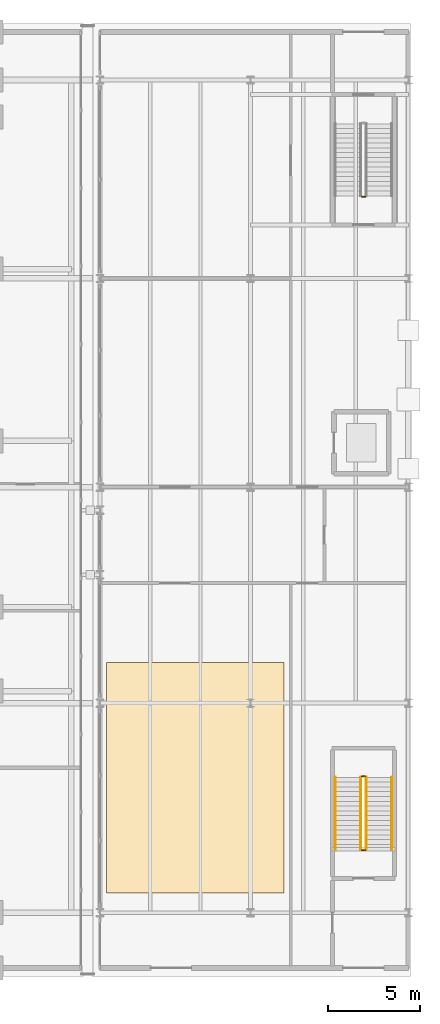
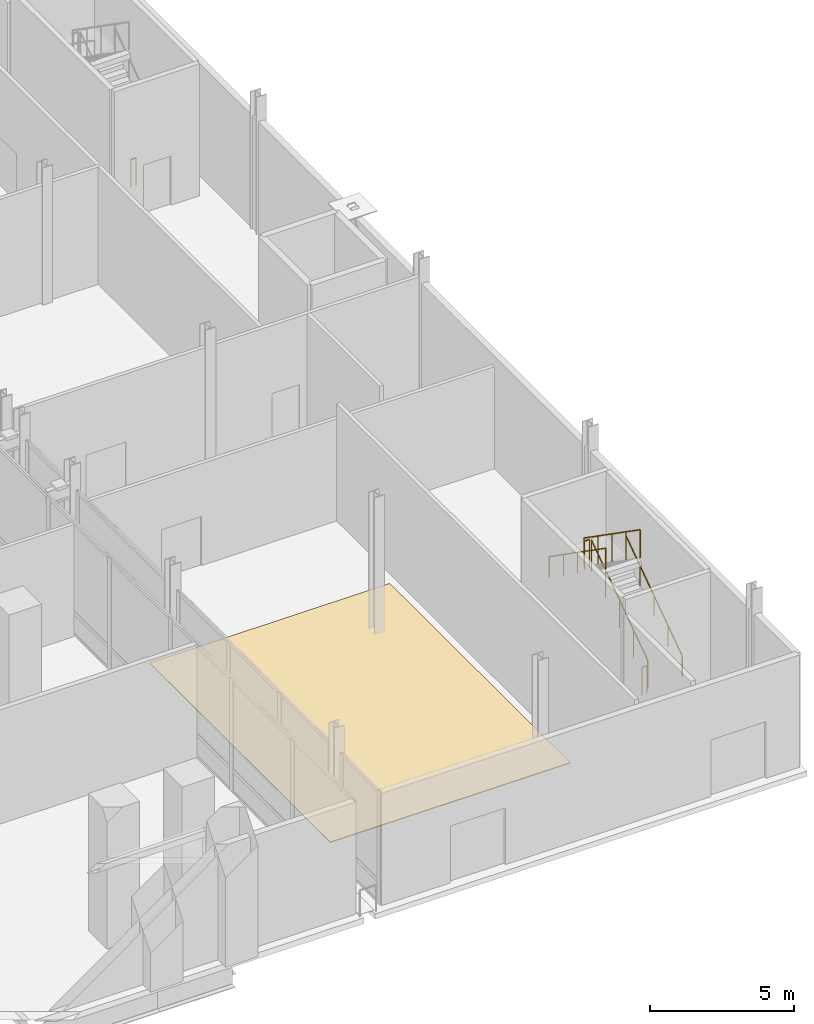
# One storey, part 34 of 36: 7 railings, 1 covering.
"""IFC4 building model written with IfcOpenShell, lengths in metres."""

from ifc_helpers import new_model, si_unit, direction, frame, origin, origin_2d, place, context, subcontext, project, spatial, polyline, circle, outline, extrude, material, layer, layer_set, type_object, element, save


model = new_model("IFC4")

# Units and contexts
model_context = context("Model", 3, precision=1e-05, world=origin(), true_north=direction((0.0, 1.0)))
body_context = subcontext(model_context, "Body", "Model", "MODEL_VIEW")
ifc_project = project(units=[si_unit("LENGTHUNIT", "METRE"), si_unit("AREAUNIT", "SQUARE_METRE"), si_unit("VOLUMEUNIT", "CUBIC_METRE"), si_unit("PLANEANGLEUNIT", "RADIAN"), si_unit("MASSUNIT", "GRAM", prefix="KILO")], contexts=[model_context])

# Site, building, storey
site_placement = place(None, origin())
site = spatial("IfcSite", under=ifc_project, at=site_placement, CompositionType="ELEMENT")
building_placement = place(site_placement, origin())
building = spatial("IfcBuilding", under=site, at=building_placement, Name="Noeulbin Bourse Tower", CompositionType="ELEMENT")
storey_placement = place(building_placement, origin())
storey = spatial("IfcBuildingStorey", under=building, at=storey_placement, Name="L01", CompositionType="ELEMENT", Elevation=0.0)

# Covering
ifc_material_1 = material(Name="Honed Geumjeong Granite Paving", Category="masonry")
ifc_layer_1 = layer(ifc_material_1, 0.030029296875)
ifc_layer_set_1 = layer_set([ifc_layer_1], Name="Honed Geumjeong Granite Paving")
covering_type = type_object("IfcCoveringType", Name="COV-FLR-STN", PredefinedType="FLOORING", material=ifc_layer_set_1)
covering_placement = place(storey_placement, origin())
element("IfcCovering", 1, at=covering_placement, inside=storey, type_object=covering_type, Name="Market Hall Granite Paving L01", PredefinedType="FLOORING", context=body_context, shape_type="SweptSolid", body=[
    extrude(outline(polyline([(60.800048828125, 4.5), (70.39990234375, 4.5), (70.39990234375, 17.0), (60.800048828125, 17.0), (60.800048828125, 4.5)])), origin(), (0.0, 0.0, 1.0), 0.030029296875),
])

# Railings
ifc_material_2 = material(Name="Painted Tubular Steel S355", Category="steel")
ifc_layer_2 = layer(ifc_material_2, 0.048095703125)
ifc_layer_set_2 = layer_set([ifc_layer_2], Name="Painted Tubular Steel S355")
railing_type_1 = type_object("IfcRailingType", Name="RLG-STR-GRD", PredefinedType="GUARDRAIL", material=ifc_layer_set_2)
railing_1_placement = place(storey_placement, frame((74.8701171875, 6.8798828125, 0.18115234375)))
element("IfcRailing", 2, at=railing_1_placement, inside=storey, type_object=railing_type_1, Name="L01 MST-1 stair guard 1", PredefinedType="GUARDRAIL", context=body_context, shape_type="SweptSolid", body=[
    extrude(circle(Radius=0.02392578125, at=origin_2d()), frame((0.0, 0.0, 1.17578125), z_axis=(0.0, 0.820352175607, 0.571858643353), x_axis=(-1.0, 0.0, 0.0)), (0.0, 0.0, 1.0), 4.754150390625),
    extrude(circle(Radius=0.02099609375, at=origin_2d()), origin(), (0.0, 0.0, 1.0), 1.15185546875),
    extrude(circle(Radius=0.02099609375, at=origin_2d()), frame((0.0, 0.97509765625, 0.6796875)), (0.0, 0.0, 1.0), 1.15185546875),
    extrude(circle(Radius=0.02099609375, at=origin_2d()), frame((0.0, 1.9501953125, 1.359375)), (0.0, 0.0, 1.0), 1.15185546875),
    extrude(circle(Radius=0.02099609375, at=origin_2d()), frame((0.0, 2.925048828125, 2.0390625)), (0.0, 0.0, 1.0), 1.15185546875),
    extrude(circle(Radius=0.02099609375, at=origin_2d()), frame((0.0, 3.900146484375, 2.71875)), (0.0, 0.0, 1.0), 1.15185546875),
])
railing_2_placement = place(storey_placement, frame((74.820068359375, 10.830078125, 2.89990234375)))
element("IfcRailing", 3, at=railing_2_placement, inside=storey, type_object=railing_type_1, Name="L01 MST-1 stair guard 2", PredefinedType="GUARDRAIL", context=body_context, shape_type="SweptSolid", body=[
    extrude(circle(Radius=0.02392578125, at=origin_2d()), frame((0.0, 0.0, 1.17578125), z_axis=(-1.0, 0.0, 0.0), x_axis=(0.0, -1.0, 0.0)), (0.0, 0.0, 1.0), 0.199951171875),
    extrude(circle(Radius=0.02099609375, at=origin_2d()), origin(), (0.0, 0.0, 1.0), 1.15185546875),
    extrude(circle(Radius=0.02099609375, at=origin_2d()), frame((-0.199951171875, 0.0, 0.0)), (0.0, 0.0, 1.0), 1.15185546875),
])
railing_3_placement = place(storey_placement, frame((74.570068359375, 10.780029296875, 3.081298828125)))
element("IfcRailing", 4, at=railing_3_placement, inside=storey, type_object=railing_type_1, Name="L01 MST-1 stair guard 3", PredefinedType="GUARDRAIL", context=body_context, shape_type="SweptSolid", body=[
    extrude(circle(Radius=0.02392578125, at=origin_2d()), frame((0.0, 0.0, 1.17578125), z_axis=(0.0, -0.820352175607, 0.571858643353), x_axis=(1.0, 0.0, 0.0)), (0.0, 0.0, 1.0), 4.754150390625),
    extrude(circle(Radius=0.02099609375, at=origin_2d()), origin(), (0.0, 0.0, 1.0), 1.15185546875),
    extrude(circle(Radius=0.02099609375, at=origin_2d()), frame((0.0, -0.97509765625, 0.6796875)), (0.0, 0.0, 1.0), 1.15185546875),
    extrude(circle(Radius=0.02099609375, at=origin_2d()), frame((0.0, -1.9501953125, 1.359375)), (0.0, 0.0, 1.0), 1.15185546875),
    extrude(circle(Radius=0.02099609375, at=origin_2d()), frame((0.0, -2.925048828125, 2.0390625)), (0.0, 0.0, 1.0), 1.15185546875),
    extrude(circle(Radius=0.02099609375, at=origin_2d()), frame((0.0, -3.900146484375, 2.71875)), (0.0, 0.0, 1.0), 1.15185546875),
])
for number, where, name in (
    (5, (74.820068359375, 6.830078125, 0.0), "L01 MST-1 stair guard 4"),
    (6, (74.820068359375, 42.22998046875, 0.0), "L01 MST-2 stair guard 4"),
):
    element("IfcRailing", number, at=place(storey_placement, frame(where)), inside=storey, type_object=railing_type_1, Name=name, PredefinedType="GUARDRAIL", context=body_context, shape_type="SweptSolid", body=[
        extrude(circle(Radius=0.02392578125, at=origin_2d()), frame((0.0, 0.0, 1.17578125), z_axis=(-1.0, 0.0, 0.0), x_axis=(0.0, -1.0, 0.0)), (0.0, 0.0, 1.0), 0.199951171875),
        extrude(circle(Radius=0.02099609375, at=origin_2d()), origin(), (0.0, 0.0, 1.0), 1.15185546875),
        extrude(circle(Radius=0.02099609375, at=origin_2d()), frame((-0.199951171875, 0.0, 0.0)), (0.0, 0.0, 1.0), 1.15185546875),
    ])
ifc_material_3 = material(Name="Brushed Stainless Steel 316", Category="steel")
ifc_layer_3 = layer(ifc_material_3, 0.048095703125)
ifc_layer_set_3 = layer_set([ifc_layer_3], Name="Brushed Stainless Steel 316")
railing_type_2 = type_object("IfcRailingType", Name="RLG-STR-HND", PredefinedType="HANDRAIL", material=ifc_layer_set_3)
railing_4_placement = place(storey_placement, frame((76.25, 6.8798828125, 0.18115234375)))
element("IfcRailing", 7, at=railing_4_placement, inside=storey, type_object=railing_type_2, Name="L01 MST-1 stair handrail 1", PredefinedType="HANDRAIL", context=body_context, shape_type="SweptSolid", body=[
    extrude(circle(Radius=0.02392578125, at=origin_2d()), frame((0.0, 0.0, 0.8759765625), z_axis=(0.0, 0.820352175607, 0.571858643353), x_axis=(-1.0, 0.0, 0.0)), (0.0, 0.0, 1.0), 4.754150390625),
    extrude(circle(Radius=0.02099609375, at=origin_2d()), origin(), (0.0, 0.0, 1.0), 0.851806640625),
    extrude(circle(Radius=0.02099609375, at=origin_2d()), frame((0.0, 0.97509765625, 0.6796875)), (0.0, 0.0, 1.0), 0.851806640625),
    extrude(circle(Radius=0.02099609375, at=origin_2d()), frame((0.0, 1.9501953125, 1.359375)), (0.0, 0.0, 1.0), 0.851806640625),
    extrude(circle(Radius=0.02099609375, at=origin_2d()), frame((0.0, 2.925048828125, 2.0390625)), (0.0, 0.0, 1.0), 0.851806640625),
    extrude(circle(Radius=0.02099609375, at=origin_2d()), frame((0.0, 3.900146484375, 2.71875)), (0.0, 0.0, 1.0), 0.851806640625),
])
railing_5_placement = place(storey_placement, frame((73.18994140625, 10.780029296875, 3.081298828125)))
element("IfcRailing", 8, at=railing_5_placement, inside=storey, type_object=railing_type_2, Name="L01 MST-1 stair handrail 2", PredefinedType="HANDRAIL", context=body_context, shape_type="SweptSolid", body=[
    extrude(circle(Radius=0.02392578125, at=origin_2d()), frame((0.0, 0.0, 0.8759765625), z_axis=(0.0, -0.820352175607, 0.571858643353), x_axis=(1.0, 0.0, 0.0)), (0.0, 0.0, 1.0), 4.754150390625),
    extrude(circle(Radius=0.02099609375, at=origin_2d()), origin(), (0.0, 0.0, 1.0), 0.851806640625),
    extrude(circle(Radius=0.02099609375, at=origin_2d()), frame((0.0, -0.97509765625, 0.6796875)), (0.0, 0.0, 1.0), 0.851806640625),
    extrude(circle(Radius=0.02099609375, at=origin_2d()), frame((0.0, -1.9501953125, 1.359375)), (0.0, 0.0, 1.0), 0.851806640625),
    extrude(circle(Radius=0.02099609375, at=origin_2d()), frame((0.0, -2.925048828125, 2.0390625)), (0.0, 0.0, 1.0), 0.851806640625),
    extrude(circle(Radius=0.02099609375, at=origin_2d()), frame((0.0, -3.900146484375, 2.71875)), (0.0, 0.0, 1.0), 0.851806640625),
])

save(model, "model.ifc")
